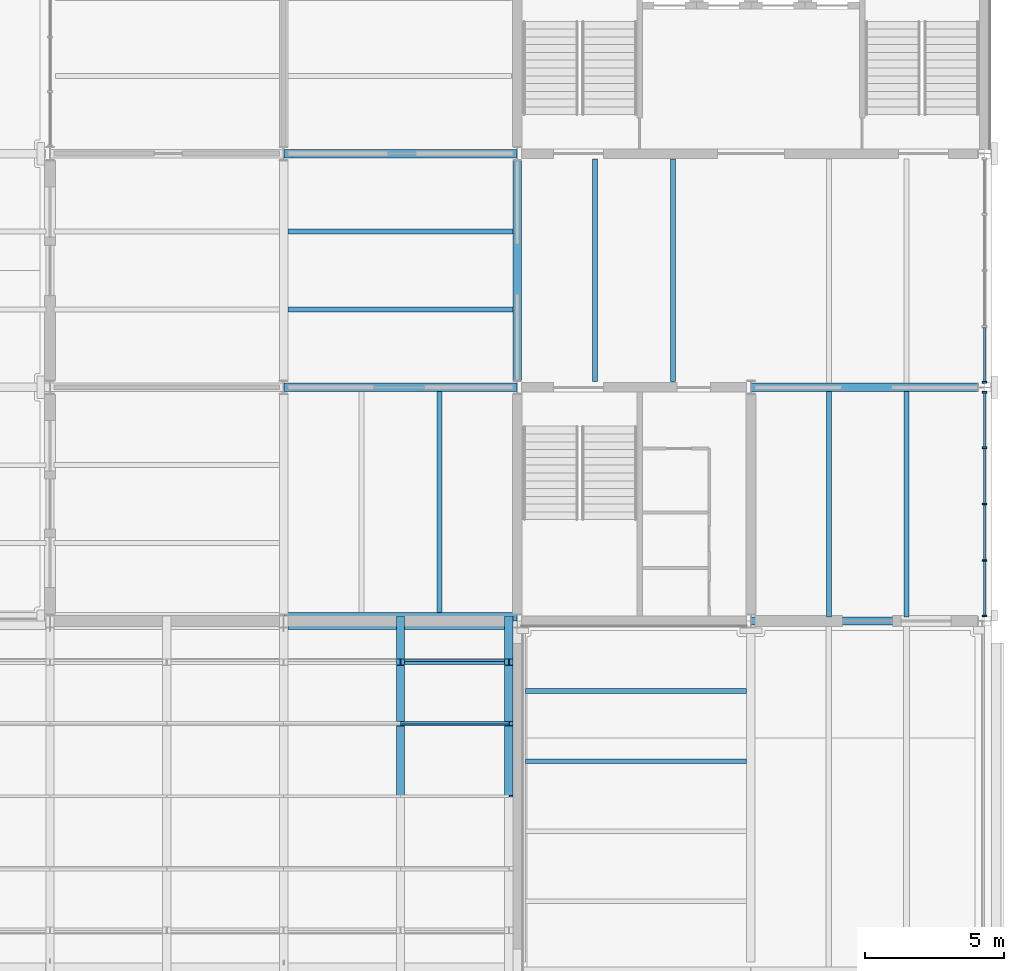
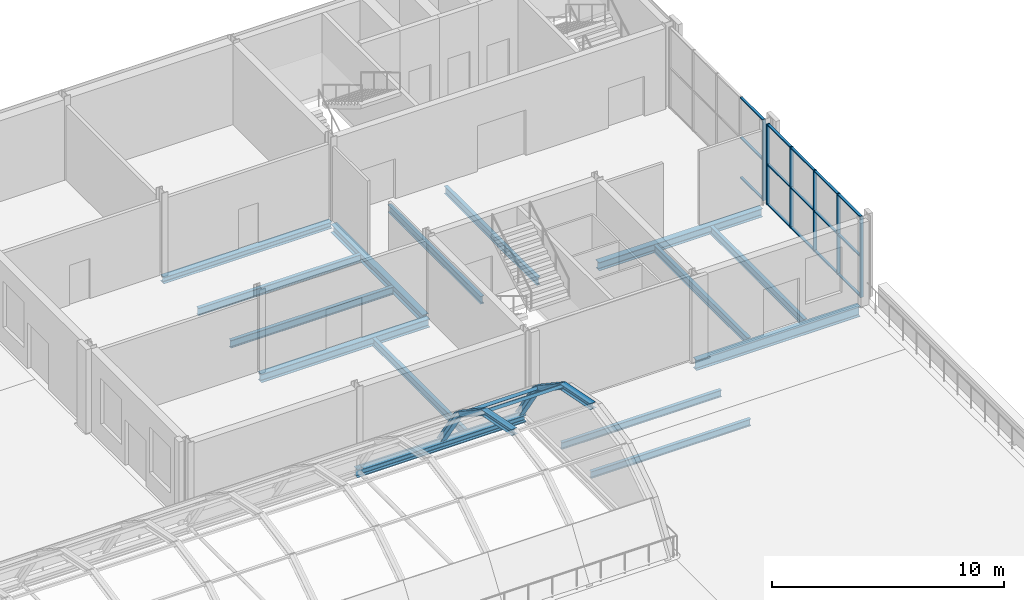
# One storey, part 31 of 58: 29 members, 16 beams, 2 elements without a shape of their own.
"""IFC4 building model written with IfcOpenShell, lengths in metres."""

from ifc_helpers import new_model, si_unit, direction, frame, origin, origin_2d, place, context, subcontext, project, spatial, rectangle, hollow_rectangle, i_section, extrude, material, layer, layer_set, material_profile, profile_set, type_object, element, aggregate, save


model = new_model("IFC4")

# Units and contexts
model_context = context("Model", 3, precision=1e-05, world=origin(), true_north=direction((0.0, 1.0)))
body_context = subcontext(model_context, "Body", "Model", "MODEL_VIEW")
ifc_project = project(units=[si_unit("LENGTHUNIT", "METRE"), si_unit("AREAUNIT", "SQUARE_METRE"), si_unit("VOLUMEUNIT", "CUBIC_METRE"), si_unit("PLANEANGLEUNIT", "RADIAN"), si_unit("MASSUNIT", "GRAM", prefix="KILO")], contexts=[model_context])

# Site, building, storey
site_placement = place(None, origin())
site = spatial("IfcSite", under=ifc_project, at=site_placement, CompositionType="ELEMENT")
building_placement = place(site_placement, origin())
building = spatial("IfcBuilding", under=site, at=building_placement, Name="Galleria Vessillo Department Store", CompositionType="ELEMENT")
storey_placement = place(building_placement, frame((0.0, 0.0, 31.199951171875)))
storey = spatial("IfcBuildingStorey", under=building, at=storey_placement, Name="L06", CompositionType="ELEMENT", Elevation=31.199951171875)

# Curtain wall, members
ifc_material_1 = material(Name="Aluminium and glass curtain wall", Category="aluminium")
ifc_layer = layer(ifc_material_1, 0.159912109375)
ifc_layer_set = layer_set([ifc_layer], Name="Aluminium and glass curtain wall")
curtain_wall_type = type_object("IfcCurtainWallType", Name="Tower curtain wall CW4 2100 module", PredefinedType="NOTDEFINED", material=ifc_layer_set)
curtain_wall_1_placement = place(storey_placement, origin())
curtain_wall_1 = element("IfcCurtainWall", 1, at=curtain_wall_1_placement, inside=storey, type_object=curtain_wall_type, Name="Tower curtain wall CW4 2100 module TE-L06-01", PredefinedType="NOTDEFINED")
ifc_material_2 = material(Name="Aluminium alloy 6063 T6", Category="aluminium")
ifc_material_profile_1 = material_profile(ifc_material_2, rectangle(XDim=0.159912109375, YDim=0.06005859375, at=origin_2d()), Name="AL 60x160")
ifc_profile_set_1 = profile_set([ifc_material_profile_1], Name="Aluminium alloy 6063 T6")
member_type_1 = type_object("IfcMemberType", Name="Aluminium mullion 60 x 160", PredefinedType="MULLION", material=ifc_profile_set_1)
member_1_placement = place(storey_placement, frame((117.60009765625, 37.97998046875, 0.0), z_axis=(0.0, 0.0, 1.0), x_axis=(-1.0, 0.0, 0.0)))
member_1 = element("IfcMember", 2, at=member_1_placement, type_object=member_type_1, Name="CW4 mullion 1", PredefinedType="MULLION", context=body_context, shape_type="SweptSolid", body=[
    extrude(rectangle(XDim=0.159912109375, YDim=0.06005859375, at=origin_2d()), origin(), (0.0, 0.0, 1.0), 4.250244140625),
])
member_2_placement = place(storey_placement, frame((117.60009765625, 39.97509765625, 0.0), z_axis=(0.0, 0.0, 1.0), x_axis=(-1.0, 0.0, 0.0)))
member_2 = element("IfcMember", 3, at=member_2_placement, type_object=member_type_1, Name="CW4 mullion 2", PredefinedType="MULLION", context=body_context, shape_type="SweptSolid", body=[
    extrude(rectangle(XDim=0.159912109375, YDim=0.06005859375, at=origin_2d()), origin(), (0.0, 0.0, 1.0), 4.250244140625),
])
member_3_placement = place(storey_placement, frame((117.60009765625, 42.0, 0.0), z_axis=(0.0, 0.0, 1.0), x_axis=(-1.0, 0.0, 0.0)))
member_3 = element("IfcMember", 4, at=member_3_placement, type_object=member_type_1, Name="CW4 mullion 3", PredefinedType="MULLION", context=body_context, shape_type="SweptSolid", body=[
    extrude(rectangle(XDim=0.159912109375, YDim=0.06005859375, at=origin_2d()), origin(), (0.0, 0.0, 1.0), 4.250244140625),
])
member_4_placement = place(storey_placement, frame((117.60009765625, 44.02490234375, 0.0), z_axis=(0.0, 0.0, 1.0), x_axis=(-1.0, 0.0, 0.0)))
member_4 = element("IfcMember", 5, at=member_4_placement, type_object=member_type_1, Name="CW4 mullion 4", PredefinedType="MULLION", context=body_context, shape_type="SweptSolid", body=[
    extrude(rectangle(XDim=0.159912109375, YDim=0.06005859375, at=origin_2d()), origin(), (0.0, 0.0, 1.0), 4.250244140625),
])
member_5_placement = place(storey_placement, frame((117.60009765625, 46.02001953125, 0.0), z_axis=(0.0, 0.0, 1.0), x_axis=(-1.0, 0.0, 0.0)))
member_5 = element("IfcMember", 6, at=member_5_placement, type_object=member_type_1, Name="CW4 mullion 5", PredefinedType="MULLION", context=body_context, shape_type="SweptSolid", body=[
    extrude(rectangle(XDim=0.159912109375, YDim=0.06005859375, at=origin_2d()), origin(), (0.0, 0.0, 1.0), 4.250244140625),
])

# Curtain wall, member
curtain_wall_2_placement = place(storey_placement, origin())
curtain_wall_2 = element("IfcCurtainWall", 7, at=curtain_wall_2_placement, inside=storey, type_object=curtain_wall_type, Name="Tower curtain wall CW4 2100 module TE-L06-02", PredefinedType="NOTDEFINED")
member_6_placement = place(storey_placement, frame((117.60009765625, 46.3798828125, 0.0), z_axis=(0.0, 0.0, 1.0), x_axis=(-1.0, 0.0, 0.0)))
member_6 = element("IfcMember", 8, at=member_6_placement, type_object=member_type_1, Name="CW4 mullion 1", PredefinedType="MULLION", context=body_context, shape_type="SweptSolid", body=[
    extrude(rectangle(XDim=0.159912109375, YDim=0.06005859375, at=origin_2d()), origin(), (0.0, 0.0, 1.0), 4.250244140625),
])

# Member
ifc_material_3 = material(Name="Aluminium alloy 6063 T6", Category="aluminium")
ifc_material_profile_2 = material_profile(ifc_material_3, rectangle(XDim=0.1201171875, YDim=0.06005859375, at=origin_2d()), Name="AL 60x120")
ifc_profile_set_2 = profile_set([ifc_material_profile_2], Name="Aluminium alloy 6063 T6")
member_type_2 = type_object("IfcMemberType", Name="Aluminium transom 60 x 120", PredefinedType="USERDEFINED", material=ifc_profile_set_2)
member_7_placement = place(storey_placement, frame((117.60009765625, 38.010009765625, 0.030029296875), z_axis=(0.0, 1.0, 0.0), x_axis=(-1.0, 0.0, 0.0)))
member_7 = element("IfcMember", 9, at=member_7_placement, type_object=member_type_2, Name="CW4 transom 1.1", ObjectType="TRANSOM", PredefinedType="USERDEFINED", context=body_context, shape_type="SweptSolid", body=[
    extrude(rectangle(XDim=0.1201171875, YDim=0.06005859375, at=origin_2d()), origin(), (0.0, 0.0, 1.0), 1.93505859375),
])

member_8_placement = place(storey_placement, frame((117.60009765625, 38.010009765625, 2.125244140625), z_axis=(0.0, 1.0, 0.0), x_axis=(-1.0, 0.0, 0.0)))
member_8 = element("IfcMember", 10, at=member_8_placement, type_object=member_type_2, Name="CW4 transom 1.2", ObjectType="TRANSOM", PredefinedType="USERDEFINED", context=body_context, shape_type="SweptSolid", body=[
    extrude(rectangle(XDim=0.1201171875, YDim=0.06005859375, at=origin_2d()), origin(), (0.0, 0.0, 1.0), 1.93505859375),
])

member_9_placement = place(storey_placement, frame((117.60009765625, 38.010009765625, 4.22021484375), z_axis=(0.0, 1.0, 0.0), x_axis=(-1.0, 0.0, 0.0)))
member_9 = element("IfcMember", 11, at=member_9_placement, type_object=member_type_2, Name="CW4 transom 1.3", ObjectType="TRANSOM", PredefinedType="USERDEFINED", context=body_context, shape_type="SweptSolid", body=[
    extrude(rectangle(XDim=0.1201171875, YDim=0.06005859375, at=origin_2d()), origin(), (0.0, 0.0, 1.0), 1.93505859375),
])

member_10_placement = place(storey_placement, frame((117.60009765625, 40.0048828125, 0.030029296875), z_axis=(0.0, 1.0, 0.0), x_axis=(-1.0, 0.0, 0.0)))
member_10 = element("IfcMember", 12, at=member_10_placement, type_object=member_type_2, Name="CW4 transom 2.1", ObjectType="TRANSOM", PredefinedType="USERDEFINED", context=body_context, shape_type="SweptSolid", body=[
    extrude(rectangle(XDim=0.1201171875, YDim=0.06005859375, at=origin_2d()), origin(), (0.0, 0.0, 1.0), 1.965087890625),
])

member_11_placement = place(storey_placement, frame((117.60009765625, 40.0048828125, 2.125244140625), z_axis=(0.0, 1.0, 0.0), x_axis=(-1.0, 0.0, 0.0)))
member_11 = element("IfcMember", 13, at=member_11_placement, type_object=member_type_2, Name="CW4 transom 2.2", ObjectType="TRANSOM", PredefinedType="USERDEFINED", context=body_context, shape_type="SweptSolid", body=[
    extrude(rectangle(XDim=0.1201171875, YDim=0.06005859375, at=origin_2d()), origin(), (0.0, 0.0, 1.0), 1.965087890625),
])

member_12_placement = place(storey_placement, frame((117.60009765625, 40.0048828125, 4.22021484375), z_axis=(0.0, 1.0, 0.0), x_axis=(-1.0, 0.0, 0.0)))
member_12 = element("IfcMember", 14, at=member_12_placement, type_object=member_type_2, Name="CW4 transom 2.3", ObjectType="TRANSOM", PredefinedType="USERDEFINED", context=body_context, shape_type="SweptSolid", body=[
    extrude(rectangle(XDim=0.1201171875, YDim=0.06005859375, at=origin_2d()), origin(), (0.0, 0.0, 1.0), 1.965087890625),
])

member_13_placement = place(storey_placement, frame((117.60009765625, 42.030029296875, 0.030029296875), z_axis=(0.0, 1.0, 0.0), x_axis=(-1.0, 0.0, 0.0)))
member_13 = element("IfcMember", 15, at=member_13_placement, type_object=member_type_2, Name="CW4 transom 3.1", ObjectType="TRANSOM", PredefinedType="USERDEFINED", context=body_context, shape_type="SweptSolid", body=[
    extrude(rectangle(XDim=0.1201171875, YDim=0.06005859375, at=origin_2d()), origin(), (0.0, 0.0, 1.0), 1.965087890625),
])

member_14_placement = place(storey_placement, frame((117.60009765625, 42.030029296875, 2.125244140625), z_axis=(0.0, 1.0, 0.0), x_axis=(-1.0, 0.0, 0.0)))
member_14 = element("IfcMember", 16, at=member_14_placement, type_object=member_type_2, Name="CW4 transom 3.2", ObjectType="TRANSOM", PredefinedType="USERDEFINED", context=body_context, shape_type="SweptSolid", body=[
    extrude(rectangle(XDim=0.1201171875, YDim=0.06005859375, at=origin_2d()), origin(), (0.0, 0.0, 1.0), 1.965087890625),
])

member_15_placement = place(storey_placement, frame((117.60009765625, 42.030029296875, 4.22021484375), z_axis=(0.0, 1.0, 0.0), x_axis=(-1.0, 0.0, 0.0)))
member_15 = element("IfcMember", 17, at=member_15_placement, type_object=member_type_2, Name="CW4 transom 3.3", ObjectType="TRANSOM", PredefinedType="USERDEFINED", context=body_context, shape_type="SweptSolid", body=[
    extrude(rectangle(XDim=0.1201171875, YDim=0.06005859375, at=origin_2d()), origin(), (0.0, 0.0, 1.0), 1.965087890625),
])

member_16_placement = place(storey_placement, frame((117.60009765625, 44.054931640625, 0.030029296875), z_axis=(0.0, 1.0, 0.0), x_axis=(-1.0, 0.0, 0.0)))
member_16 = element("IfcMember", 18, at=member_16_placement, type_object=member_type_2, Name="CW4 transom 4.1", ObjectType="TRANSOM", PredefinedType="USERDEFINED", context=body_context, shape_type="SweptSolid", body=[
    extrude(rectangle(XDim=0.1201171875, YDim=0.06005859375, at=origin_2d()), origin(), (0.0, 0.0, 1.0), 1.93505859375),
])

member_17_placement = place(storey_placement, frame((117.60009765625, 44.054931640625, 2.125244140625), z_axis=(0.0, 1.0, 0.0), x_axis=(-1.0, 0.0, 0.0)))
member_17 = element("IfcMember", 19, at=member_17_placement, type_object=member_type_2, Name="CW4 transom 4.2", ObjectType="TRANSOM", PredefinedType="USERDEFINED", context=body_context, shape_type="SweptSolid", body=[
    extrude(rectangle(XDim=0.1201171875, YDim=0.06005859375, at=origin_2d()), origin(), (0.0, 0.0, 1.0), 1.93505859375),
])

member_18_placement = place(storey_placement, frame((117.60009765625, 44.054931640625, 4.22021484375), z_axis=(0.0, 1.0, 0.0), x_axis=(-1.0, 0.0, 0.0)))
member_18 = element("IfcMember", 20, at=member_18_placement, type_object=member_type_2, Name="CW4 transom 4.3", ObjectType="TRANSOM", PredefinedType="USERDEFINED", context=body_context, shape_type="SweptSolid", body=[
    extrude(rectangle(XDim=0.1201171875, YDim=0.06005859375, at=origin_2d()), origin(), (0.0, 0.0, 1.0), 1.93505859375),
])

aggregate(curtain_wall_1, [member_1, member_2, member_3, member_4, member_5, member_7, member_8, member_9, member_10, member_11, member_12, member_13, member_14, member_15, member_16, member_17, member_18])

member_19_placement = place(storey_placement, frame((117.60009765625, 46.409912109375, 0.030029296875), z_axis=(0.0, 1.0, 0.0), x_axis=(-1.0, 0.0, 0.0)))
member_19 = element("IfcMember", 21, at=member_19_placement, type_object=member_type_2, Name="CW4 transom 1.1", ObjectType="TRANSOM", PredefinedType="USERDEFINED", context=body_context, shape_type="SweptSolid", body=[
    extrude(rectangle(XDim=0.1201171875, YDim=0.06005859375, at=origin_2d()), origin(), (0.0, 0.0, 1.0), 1.93505859375),
])

member_20_placement = place(storey_placement, frame((117.60009765625, 46.409912109375, 2.125244140625), z_axis=(0.0, 1.0, 0.0), x_axis=(-1.0, 0.0, 0.0)))
member_20 = element("IfcMember", 22, at=member_20_placement, type_object=member_type_2, Name="CW4 transom 1.2", ObjectType="TRANSOM", PredefinedType="USERDEFINED", context=body_context, shape_type="SweptSolid", body=[
    extrude(rectangle(XDim=0.1201171875, YDim=0.06005859375, at=origin_2d()), origin(), (0.0, 0.0, 1.0), 1.93505859375),
])

member_21_placement = place(storey_placement, frame((117.60009765625, 46.409912109375, 4.22021484375), z_axis=(0.0, 1.0, 0.0), x_axis=(-1.0, 0.0, 0.0)))
member_21 = element("IfcMember", 23, at=member_21_placement, type_object=member_type_2, Name="CW4 transom 1.3", ObjectType="TRANSOM", PredefinedType="USERDEFINED", context=body_context, shape_type="SweptSolid", body=[
    extrude(rectangle(XDim=0.1201171875, YDim=0.06005859375, at=origin_2d()), origin(), (0.0, 0.0, 1.0), 1.93505859375),
])

aggregate(curtain_wall_2, [member_6, member_19, member_20, member_21])

# Beams
ifc_material_4 = material(Name="Steel S355 J2", Category="steel")
ifc_material_profile_3 = material_profile(ifc_material_4, i_section(OverallWidth=0.300048828125, OverallDepth=0.43994140625, WebThickness=0.011474609375, FlangeThickness=0.02099609375, FilletRadius=0.027099609375, at=origin_2d()), Name="HEA 450")
ifc_profile_set_3 = profile_set([ifc_material_profile_3], Name="Steel S355 J2")
beam_type_1 = type_object("IfcBeamType", Name="Floor girder HEA 450", PredefinedType="BEAM", material=ifc_profile_set_3)
beam_1_placement = place(storey_placement, frame((92.41064453125, 46.199951171875, -0.369873046875), z_axis=(1.0, 0.0, 0.0), x_axis=(0.0, 1.0, 0.0)))
element("IfcBeam", 24, at=beam_1_placement, inside=storey, type_object=beam_type_1, Name="S-BM-L06-GI-x46200-92411", PredefinedType="BEAM", context=body_context, shape_type="SweptSolid", body=[
    extrude(i_section(OverallWidth=0.300048828125, OverallDepth=0.43994140625, WebThickness=0.011474609375, FlangeThickness=0.02099609375, FilletRadius=0.027099609375, at=origin_2d()), origin(), (0.0, 0.0, 1.0), 8.378662109375),
])
beam_2_placement = place(storey_placement, frame((109.210693359375, 46.199951171875, -0.369873046875), z_axis=(1.0, 0.0, 0.0), x_axis=(0.0, 1.0, 0.0)))
element("IfcBeam", 25, at=beam_2_placement, inside=storey, type_object=beam_type_1, Name="S-BM-L06-GI-x46200-109211", PredefinedType="BEAM", context=body_context, shape_type="SweptSolid", body=[
    extrude(i_section(OverallWidth=0.300048828125, OverallDepth=0.43994140625, WebThickness=0.011474609375, FlangeThickness=0.02099609375, FilletRadius=0.027099609375, at=origin_2d()), origin(), (0.0, 0.0, 1.0), 8.150146484375),
])
beam_3_placement = place(storey_placement, frame((100.800048828125, 46.439208984375, -0.369873046875), z_axis=(0.0, 1.0, 0.0), x_axis=(-1.0, 0.0, 0.0)))
element("IfcBeam", 26, at=beam_3_placement, inside=storey, type_object=beam_type_1, Name="S-BM-L06-GI-y100800-46439", PredefinedType="BEAM", context=body_context, shape_type="SweptSolid", body=[
    extrude(i_section(OverallWidth=0.300048828125, OverallDepth=0.43994140625, WebThickness=0.011474609375, FlangeThickness=0.02099609375, FilletRadius=0.027099609375, at=origin_2d()), origin(), (0.0, 0.0, 1.0), 7.921630859375),
])
ifc_material_5 = material(Name="Steel S355 J2", Category="steel")
ifc_material_profile_4 = material_profile(ifc_material_5, i_section(OverallWidth=0.300048828125, OverallDepth=0.5400390625, WebThickness=0.012451171875, FlangeThickness=0.02392578125, FilletRadius=0.027099609375, at=origin_2d()), Name="HEA 550")
ifc_profile_set_4 = profile_set([ifc_material_profile_4], Name="Steel S355 J2")
beam_type_2 = type_object("IfcBeamType", Name="Floor girder HEA 550", PredefinedType="BEAM", material=ifc_profile_set_4)
beam_4_placement = place(storey_placement, frame((109.210693359375, 37.800048828125, -0.469970703125), z_axis=(1.0, 0.0, 0.0), x_axis=(0.0, 1.0, 0.0)))
element("IfcBeam", 27, at=beam_4_placement, inside=storey, type_object=beam_type_2, Name="S-BM-L06-GI-x37800-109211", PredefinedType="BEAM", context=body_context, shape_type="SweptSolid", body=[
    extrude(i_section(OverallWidth=0.300048828125, OverallDepth=0.5400390625, WebThickness=0.012451171875, FlangeThickness=0.02392578125, FilletRadius=0.027099609375, at=origin_2d()), origin(), (0.0, 0.0, 1.0), 8.150146484375),
])
ifc_material_6 = material(Name="Steel S355 J2", Category="steel")
ifc_material_profile_5 = material_profile(ifc_material_6, i_section(OverallWidth=0.169921875, OverallDepth=0.360107421875, WebThickness=0.008056640625, FlangeThickness=0.0126953125, FilletRadius=0.01806640625, at=origin_2d()), Name="IPE 360")
ifc_profile_set_5 = profile_set([ifc_material_profile_5], Name="Steel S355 J2")
beam_type_3 = type_object("IfcBeamType", Name="Floor joist IPE 360", PredefinedType="JOIST", material=ifc_profile_set_5)
for number, where, z_axis, x_axis, name in (
    (28, (101.10009765625, 32.760009765625, -0.3798828125), (1.0, 0.0, 0.0), (0.0, 1.0, 0.0), "S-BM-L06-JO-x32760-101100"),
    (29, (101.10009765625, 35.280029296875, -0.3798828125), (1.0, 0.0, 0.0), (0.0, 1.0, 0.0), "S-BM-L06-JO-x35280-101100"),
):
    element("IfcBeam", number, at=place(storey_placement, frame(where, z_axis=z_axis, x_axis=x_axis)), inside=storey, type_object=beam_type_3, Name=name, PredefinedType="JOIST", context=body_context, shape_type="SweptSolid", body=[
        extrude(i_section(OverallWidth=0.169921875, OverallDepth=0.360107421875, WebThickness=0.008056640625, FlangeThickness=0.0126953125, FilletRadius=0.01806640625, at=origin_2d()), origin(), (0.0, 0.0, 1.0), 7.94970703125),
    ])
ifc_material_7 = material(Name="Steel S355 J2", Category="steel")
ifc_material_profile_6 = material_profile(ifc_material_7, i_section(OverallWidth=0.179931640625, OverallDepth=0.39990234375, WebThickness=0.008544921875, FlangeThickness=0.013427734375, FilletRadius=0.02099609375, at=origin_2d()), Name="IPE 400")
ifc_profile_set_6 = profile_set([ifc_material_profile_6], Name="Steel S355 J2")
beam_type_4 = type_object("IfcBeamType", Name="Floor joist IPE 400", PredefinedType="JOIST", material=ifc_profile_set_6)
beam_5_placement = place(storey_placement, frame((98.0, 38.10009765625, -0.349853515625), z_axis=(0.0, 1.0, 0.0), x_axis=(-1.0, 0.0, 0.0)))
element("IfcBeam", 30, at=beam_5_placement, inside=storey, type_object=beam_type_4, Name="S-BM-L06-JO-y98000-38100", PredefinedType="JOIST", context=body_context, shape_type="SweptSolid", body=[
    extrude(i_section(OverallWidth=0.179931640625, OverallDepth=0.39990234375, WebThickness=0.008544921875, FlangeThickness=0.013427734375, FilletRadius=0.02099609375, at=origin_2d()), origin(), (0.0, 0.0, 1.0), 7.94970703125),
])
for number, where, z_axis, x_axis, name in (
    (31, (92.550048828125, 49.0, -0.349853515625), (1.0, 0.0, 0.0), (0.0, 1.0, 0.0), "S-BM-L06-JO-x49000-92550"),
    (32, (92.550048828125, 51.800048828125, -0.349853515625), (1.0, 0.0, 0.0), (0.0, 1.0, 0.0), "S-BM-L06-JO-x51800-92550"),
):
    element("IfcBeam", number, at=place(storey_placement, frame(where, z_axis=z_axis, x_axis=x_axis)), inside=storey, type_object=beam_type_4, Name=name, PredefinedType="JOIST", context=body_context, shape_type="SweptSolid", body=[
        extrude(i_section(OverallWidth=0.179931640625, OverallDepth=0.39990234375, WebThickness=0.008544921875, FlangeThickness=0.013427734375, FilletRadius=0.02099609375, at=origin_2d()), origin(), (0.0, 0.0, 1.0), 8.099853515625),
    ])
for number, where, z_axis, x_axis, name in (
    (33, (103.60009765625, 46.400146484375, -0.349853515625), (0.0, 1.0, 0.0), (-1.0, 0.0, 0.0), "S-BM-L06-JO-y103600-46400"),
    (34, (106.39990234375, 46.400146484375, -0.349853515625), (0.0, 1.0, 0.0), (-1.0, 0.0, 0.0), "S-BM-L06-JO-y106400-46400"),
):
    element("IfcBeam", number, at=place(storey_placement, frame(where, z_axis=z_axis, x_axis=x_axis)), inside=storey, type_object=beam_type_4, Name=name, PredefinedType="JOIST", context=body_context, shape_type="SweptSolid", body=[
        extrude(i_section(OverallWidth=0.179931640625, OverallDepth=0.39990234375, WebThickness=0.008544921875, FlangeThickness=0.013427734375, FilletRadius=0.02099609375, at=origin_2d()), origin(), (0.0, 0.0, 1.0), 7.999755859375),
    ])
for number, where, z_axis, x_axis, name in (
    (35, (112.0, 37.9501953125, -0.349853515625), (0.0, 1.0, 0.0), (-1.0, 0.0, 0.0), "S-BM-L06-JO-y112000-37950"),
    (36, (114.800048828125, 37.9501953125, -0.349853515625), (0.0, 1.0, 0.0), (-1.0, 0.0, 0.0), "S-BM-L06-JO-y114800-37950"),
):
    element("IfcBeam", number, at=place(storey_placement, frame(where, z_axis=z_axis, x_axis=x_axis)), inside=storey, type_object=beam_type_4, Name=name, PredefinedType="JOIST", context=body_context, shape_type="SweptSolid", body=[
        extrude(i_section(OverallWidth=0.179931640625, OverallDepth=0.39990234375, WebThickness=0.008544921875, FlangeThickness=0.013427734375, FilletRadius=0.02099609375, at=origin_2d()), origin(), (0.0, 0.0, 1.0), 8.099609375),
    ])
ifc_material_8 = material(Name="Steel S355 J2", Category="steel")
ifc_material_profile_7 = material_profile(ifc_material_8, i_section(OverallWidth=0.300048828125, OverallDepth=0.330078125, WebThickness=0.009521484375, FlangeThickness=0.0166015625, FilletRadius=0.027099609375, at=origin_2d()), Name="HEA 340")
ifc_profile_set_7 = profile_set([ifc_material_profile_7], Name="Steel S355 J2")
beam_type_5 = type_object("IfcBeamType", Name="Floor tie girder HEA 340", PredefinedType="BEAM", material=ifc_profile_set_7)
beam_6_placement = place(storey_placement, frame((92.41064453125, 54.60009765625, -0.31494140625), z_axis=(1.0, 0.0, 0.0), x_axis=(0.0, 1.0, 0.0)))
element("IfcBeam", 37, at=beam_6_placement, inside=storey, type_object=beam_type_5, Name="S-BM-L06-TI-x54600-92411", PredefinedType="BEAM", context=body_context, shape_type="SweptSolid", body=[
    extrude(i_section(OverallWidth=0.300048828125, OverallDepth=0.330078125, WebThickness=0.009521484375, FlangeThickness=0.0166015625, FilletRadius=0.027099609375, at=origin_2d()), origin(), (0.0, 0.0, 1.0), 8.378662109375),
])
ifc_material_9 = material(Name="Steel S355 J2", Category="steel")
ifc_material_profile_8 = material_profile(ifc_material_9, i_section(OverallWidth=0.300048828125, OverallDepth=0.43994140625, WebThickness=0.011474609375, FlangeThickness=0.02099609375, FilletRadius=0.027099609375, at=origin_2d()), Name="HEA 450")
ifc_profile_set_8 = profile_set([ifc_material_profile_8], Name="Steel S355 J2")
beam_type_6 = type_object("IfcBeamType", Name="Trimmer beam HEA 450", PredefinedType="BEAM", material=ifc_profile_set_8)
beam_7_placement = place(storey_placement, frame((92.41064453125, 37.949951171875, -0.369873046875), z_axis=(1.0, 0.0, 0.0), x_axis=(0.0, 1.0, 0.0)))
element("IfcBeam", 38, at=beam_7_placement, inside=storey, type_object=beam_type_6, Name="S-BM-L06-TR-x37950-92411", PredefinedType="BEAM", context=body_context, shape_type="SweptSolid", body=[
    extrude(i_section(OverallWidth=0.300048828125, OverallDepth=0.43994140625, WebThickness=0.011474609375, FlangeThickness=0.02099609375, FilletRadius=0.027099609375, at=origin_2d()), origin(), (0.0, 0.0, 1.0), 8.378662109375),
])

# Members
ifc_material_10 = material(Name="Steel S355 J2", Category="steel")
ifc_material_profile_9 = material_profile(ifc_material_10, hollow_rectangle(XDim=0.10009765625, YDim=0.14990234375, WallThickness=0.008056640625, at=origin_2d()), Name="RHS 150x100x8")
ifc_profile_set_9 = profile_set([ifc_material_profile_9], Name="Steel S355 J2")
member_type_3 = type_object("IfcMemberType", Name="Vault purlin RHS 150x100x8", PredefinedType="PURLIN", material=ifc_profile_set_9)
for number, where, z_axis, x_axis, name in (
    (39, (96.604248046875, 34.107421875, 3.682373046875), (1.0, 0.0, 0.0), (0.0, 0.924144726715, -0.38204256842), "S-VP-4-20"),
    (40, (96.604248046875, 36.3193359375, 2.207763671875), (1.0, 0.0, 0.0), (0.0, 0.708077368705, -0.70613485959), "S-VP-5-20"),
):
    element("IfcMember", number, at=place(storey_placement, frame(where, z_axis=z_axis, x_axis=x_axis)), inside=storey, type_object=member_type_3, Name=name, PredefinedType="PURLIN", context=body_context, shape_type="SweptSolid", body=[
        extrude(hollow_rectangle(XDim=0.10009765625, YDim=0.14990234375, WallThickness=0.008056640625, at=origin_2d()), origin(), (0.0, 0.0, 1.0), 3.8916015625),
    ])
ifc_material_11 = material(Name="Steel S355 J2", Category="steel")
ifc_material_profile_10 = material_profile(ifc_material_11, i_section(OverallWidth=0.300048828125, OverallDepth=0.2900390625, WebThickness=0.008544921875, FlangeThickness=0.013916015625, FilletRadius=0.027099609375, at=origin_2d()), Name="HEA 300")
ifc_profile_set_10 = profile_set([ifc_material_profile_10], Name="Steel S355 J2")
member_type_4 = type_object("IfcMemberType", Name="Vault rib HEA 300", PredefinedType="RAFTER", material=ifc_profile_set_10)
member_22_placement = place(storey_placement, frame((96.60009765625, 31.5, 4.199951171875), z_axis=(0.0, 0.980862245521, -0.194702992557), x_axis=(-1.0, 0.0, 0.0)))
element("IfcMember", 41, at=member_22_placement, inside=storey, type_object=member_type_4, Name="S-VR-20-4", PredefinedType="RAFTER", context=body_context, shape_type="SweptSolid", body=[
    extrude(i_section(OverallWidth=0.300048828125, OverallDepth=0.2900390625, WebThickness=0.008544921875, FlangeThickness=0.013916015625, FilletRadius=0.027099609375, at=origin_2d()), origin(), (0.0, 0.0, 1.0), 2.658203125),
])
member_23_placement = place(storey_placement, frame((96.60009765625, 34.107421875, 3.682373046875), z_axis=(0.0, 0.832050294338, -0.554700196225), x_axis=(-1.0, 0.0, 0.0)))
element("IfcMember", 42, at=member_23_placement, inside=storey, type_object=member_type_4, Name="S-VR-20-5", PredefinedType="RAFTER", context=body_context, shape_type="SweptSolid", body=[
    extrude(i_section(OverallWidth=0.300048828125, OverallDepth=0.2900390625, WebThickness=0.008544921875, FlangeThickness=0.013916015625, FilletRadius=0.027099609375, at=origin_2d()), origin(), (0.0, 0.0, 1.0), 2.658447265625),
])
member_24_placement = place(storey_placement, frame((96.60009765625, 36.3193359375, 2.207763671875), z_axis=(0.0, 0.557008391095, -0.830506864661), x_axis=(-1.0, 0.0, 0.0)))
element("IfcMember", 43, at=member_24_placement, inside=storey, type_object=member_type_4, Name="S-VR-20-6", PredefinedType="RAFTER", context=body_context, shape_type="SweptSolid", body=[
    extrude(i_section(OverallWidth=0.300048828125, OverallDepth=0.2900390625, WebThickness=0.008544921875, FlangeThickness=0.013916015625, FilletRadius=0.027099609375, at=origin_2d()), origin(), (0.0, 0.0, 1.0), 2.755615234375),
])
member_25_placement = place(storey_placement, frame((100.5, 31.5, 4.199951171875), z_axis=(0.0, 0.980862245521, -0.194702992557), x_axis=(-1.0, 0.0, 0.0)))
element("IfcMember", 44, at=member_25_placement, inside=storey, type_object=member_type_4, Name="S-VR-21-4", PredefinedType="RAFTER", context=body_context, shape_type="SweptSolid", body=[
    extrude(i_section(OverallWidth=0.300048828125, OverallDepth=0.2900390625, WebThickness=0.008544921875, FlangeThickness=0.013916015625, FilletRadius=0.027099609375, at=origin_2d()), origin(), (0.0, 0.0, 1.0), 2.658203125),
])
member_26_placement = place(storey_placement, frame((100.5, 34.107421875, 3.682373046875), z_axis=(0.0, 0.832050294338, -0.554700196225), x_axis=(-1.0, 0.0, 0.0)))
element("IfcMember", 45, at=member_26_placement, inside=storey, type_object=member_type_4, Name="S-VR-21-5", PredefinedType="RAFTER", context=body_context, shape_type="SweptSolid", body=[
    extrude(i_section(OverallWidth=0.300048828125, OverallDepth=0.2900390625, WebThickness=0.008544921875, FlangeThickness=0.013916015625, FilletRadius=0.027099609375, at=origin_2d()), origin(), (0.0, 0.0, 1.0), 2.658447265625),
])
member_27_placement = place(storey_placement, frame((100.5, 36.3193359375, 2.207763671875), z_axis=(0.0, 0.557008391095, -0.830506864661), x_axis=(-1.0, 0.0, 0.0)))
element("IfcMember", 46, at=member_27_placement, inside=storey, type_object=member_type_4, Name="S-VR-21-6", PredefinedType="RAFTER", context=body_context, shape_type="SweptSolid", body=[
    extrude(i_section(OverallWidth=0.300048828125, OverallDepth=0.2900390625, WebThickness=0.008544921875, FlangeThickness=0.013916015625, FilletRadius=0.027099609375, at=origin_2d()), origin(), (0.0, 0.0, 1.0), 2.755615234375),
])

# Beam
ifc_material_12 = material(Name="Steel S355 J2", Category="steel")
ifc_material_profile_11 = material_profile(ifc_material_12, i_section(OverallWidth=0.300048828125, OverallDepth=0.340087890625, WebThickness=0.011962890625, FlangeThickness=0.021484375, FilletRadius=0.027099609375, at=origin_2d()), Name="HEB 340")
ifc_profile_set_11 = profile_set([ifc_material_profile_11], Name="Steel S355 J2")
beam_type_7 = type_object("IfcBeamType", Name="Vault springer beam HEB 340", PredefinedType="BEAM", material=ifc_profile_set_11)
beam_8_placement = place(storey_placement, frame((92.5537109375, 37.64990234375, -0.14990234375), z_axis=(1.0, 0.0, 0.0), x_axis=(0.0, 1.0, 0.0)))
element("IfcBeam", 47, at=beam_8_placement, inside=storey, type_object=beam_type_7, Name="S-VS-N-10", PredefinedType="BEAM", context=body_context, shape_type="SweptSolid", body=[
    extrude(i_section(OverallWidth=0.300048828125, OverallDepth=0.340087890625, WebThickness=0.011962890625, FlangeThickness=0.021484375, FilletRadius=0.027099609375, at=origin_2d()), origin(), (0.0, 0.0, 1.0), 8.0927734375),
])

save(model, "model.ifc")
